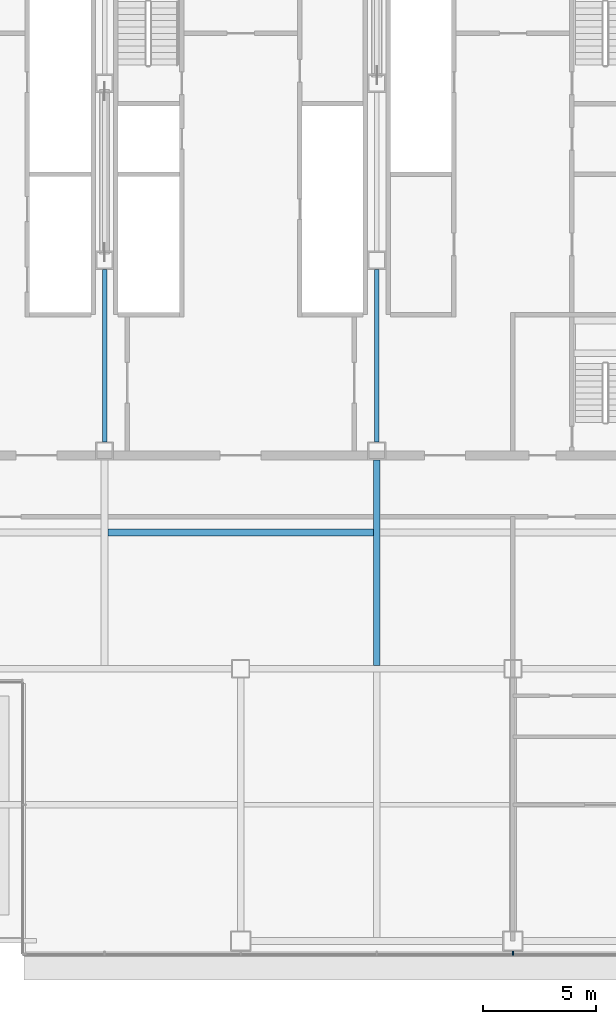
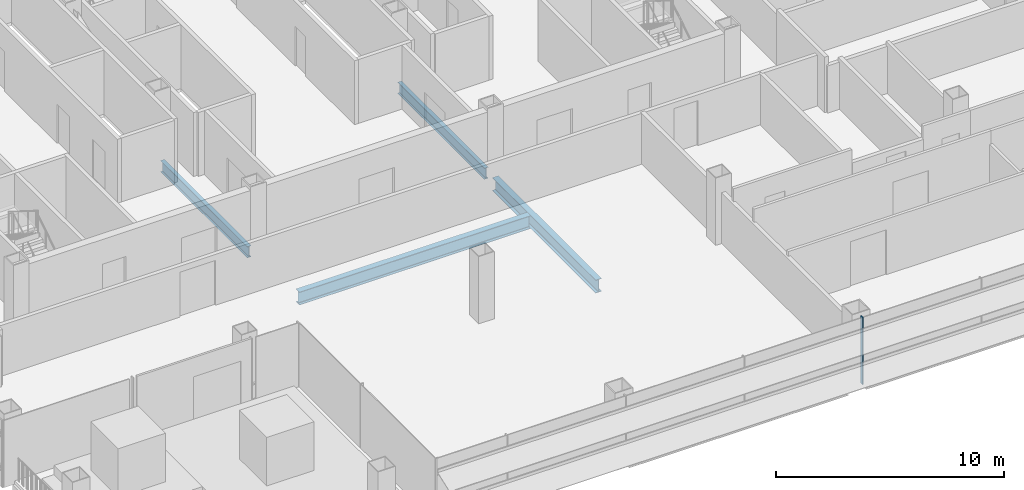
# One storey, part 7 of 28: 4 beams, 1 member, 1 element without a shape of its own.
"""IFC4 building model written with IfcOpenShell, lengths in metres."""

from ifc_helpers import new_model, si_unit, direction, frame, origin, origin_2d, place, context, subcontext, project, spatial, rectangle, i_section, extrude, material, material_profile, profile_set, type_object, element, aggregate, save


model = new_model("IFC4")

# Units and contexts
model_context = context("Model", 3, precision=1e-05, world=origin(), true_north=direction((0.0, 1.0)))
body_context = subcontext(model_context, "Body", "Model", "MODEL_VIEW")
ifc_project = project(units=[si_unit("LENGTHUNIT", "METRE"), si_unit("AREAUNIT", "SQUARE_METRE"), si_unit("VOLUMEUNIT", "CUBIC_METRE"), si_unit("PLANEANGLEUNIT", "RADIAN"), si_unit("MASSUNIT", "GRAM", prefix="KILO")], contexts=[model_context])

# Site, building, storey
site_placement = place(None, origin())
site = spatial("IfcSite", under=ifc_project, at=site_placement, CompositionType="ELEMENT")
building_placement = place(site_placement, origin())
building = spatial("IfcBuilding", under=site, at=building_placement, Name="Sorahane Residences", CompositionType="ELEMENT")
storey_placement = place(building_placement, frame((0.0, 0.0, 60.60009765625)))
storey = spatial("IfcBuildingStorey", under=building, at=storey_placement, Name="L11", CompositionType="ELEMENT", Elevation=60.60009765625)

# Curtain wall, member
ifc_material_1 = material(Name="Dark low-e glass and black anodised aluminium", Category="aluminium")
curtain_wall_type = type_object("IfcCurtainWallType", Name="Curtain wall CW-1 Typical unitised wall", PredefinedType="NOTDEFINED", material=ifc_material_1)
curtain_wall_placement = place(storey_placement, origin())
curtain_wall = element("IfcCurtainWall", 1, at=curtain_wall_placement, inside=storey, type_object=curtain_wall_type, Name="CW-1 curtain wall L11 S2", PredefinedType="NOTDEFINED")
ifc_material_2 = material(Name="Black anodised aluminium", Category="aluminium")
ifc_material_profile_1 = material_profile(ifc_material_2, rectangle(XDim=0.159912109375, YDim=0.050048828125, at=origin_2d()), Name="Curtain wall mullion CW-1 black anodised aluminium 50x160")
ifc_profile_set_1 = profile_set([ifc_material_profile_1], Name="Black anodised aluminium")
member_type = type_object("IfcMemberType", Name="Curtain wall mullion CW-1 black anodised aluminium 50x160", PredefinedType="MULLION", material=ifc_profile_set_1)
member_placement = place(storey_placement, frame((36.0, -0.5400390625, -0.18017578125), z_axis=(0.0, 0.0, 1.0), x_axis=(0.0, -1.0, 0.0)))
member = element("IfcMember", 2, at=member_placement, type_object=member_type, Name="CW-1 mullion L11 S2.5", PredefinedType="MULLION", context=body_context, shape_type="SweptSolid", body=[
    extrude(rectangle(XDim=0.159912109375, YDim=0.050048828125, at=origin_2d()), origin(), (0.0, 0.0, 1.0), 3.60009765625),
])
aggregate(curtain_wall, [member])

# Beams
ifc_material_3 = material(Name="Steel Q355B", Category="steel")
ifc_material_profile_2 = material_profile(ifc_material_3, i_section(OverallWidth=0.199951171875, OverallDepth=0.60009765625, WebThickness=0.010986328125, FlangeThickness=0.01708984375, FilletRadius=0.02392578125, at=origin_2d()), Name="HN 600x200x11x17")
ifc_profile_set_2 = profile_set([ifc_material_profile_2], Name="Steel Q355B")
beam_type_1 = type_object("IfcBeamType", Name="Steel floor beam HN 600x200x11x17 Q355B", PredefinedType="BEAM", material=ifc_profile_set_2)
for number, where, z_axis, x_axis, name in (
    (3, (18.0, 22.0, -0.47998046875), (0.0, 1.0, 0.0), (-1.0, 0.0, 0.0), "Beam L11 030"),
    (4, (30.0, 22.0, -0.47998046875), (0.0, 1.0, 0.0), (-1.0, 0.0, 0.0), "Beam L11 038"),
):
    element("IfcBeam", number, at=place(storey_placement, frame(where, z_axis=z_axis, x_axis=x_axis)), inside=storey, type_object=beam_type_1, Name=name, PredefinedType="BEAM", context=body_context, shape_type="SweptSolid", body=[
        extrude(i_section(OverallWidth=0.199951171875, OverallDepth=0.60009765625, WebThickness=0.010986328125, FlangeThickness=0.01708984375, FilletRadius=0.02392578125, at=origin_2d()), origin(), (0.0, 0.0, 1.0), 7.60009765625),
    ])
ifc_material_4 = material(Name="Steel Q355B", Category="steel")
ifc_material_profile_3 = material_profile(ifc_material_4, i_section(OverallWidth=0.300048828125, OverallDepth=0.699951171875, WebThickness=0.012939453125, FlangeThickness=0.02392578125, FilletRadius=0.028076171875, at=origin_2d()), Name="HN 700x300x13x24")
ifc_profile_set_3 = profile_set([ifc_material_profile_3], Name="Steel Q355B")
beam_type_2 = type_object("IfcBeamType", Name="Steel floor beam HN 700x300x13x24 Q355B", PredefinedType="BEAM", material=ifc_profile_set_3)
beam_1_placement = place(storey_placement, frame((30.0, 12.14990234375, -0.530029296875), z_axis=(0.0, 1.0, 0.0), x_axis=(-1.0, 0.0, 0.0)))
element("IfcBeam", 5, at=beam_1_placement, inside=storey, type_object=beam_type_2, Name="Beam L11 037", PredefinedType="BEAM", context=body_context, shape_type="SweptSolid", body=[
    extrude(i_section(OverallWidth=0.300048828125, OverallDepth=0.699951171875, WebThickness=0.012939453125, FlangeThickness=0.02392578125, FilletRadius=0.028076171875, at=origin_2d()), origin(), (0.0, 0.0, 1.0), 9.050048828125),
])
beam_2_placement = place(storey_placement, frame((18.14990234375, 18.0, -0.530029296875), z_axis=(1.0, 0.0, 0.0), x_axis=(0.0, 1.0, 0.0)))
element("IfcBeam", 6, at=beam_2_placement, inside=storey, type_object=beam_type_2, Name="Beam L11 070", PredefinedType="BEAM", context=body_context, shape_type="SweptSolid", body=[
    extrude(i_section(OverallWidth=0.300048828125, OverallDepth=0.699951171875, WebThickness=0.012939453125, FlangeThickness=0.02392578125, FilletRadius=0.028076171875, at=origin_2d()), origin(), (0.0, 0.0, 1.0), 11.7001953125),
])

save(model, "model.ifc")
